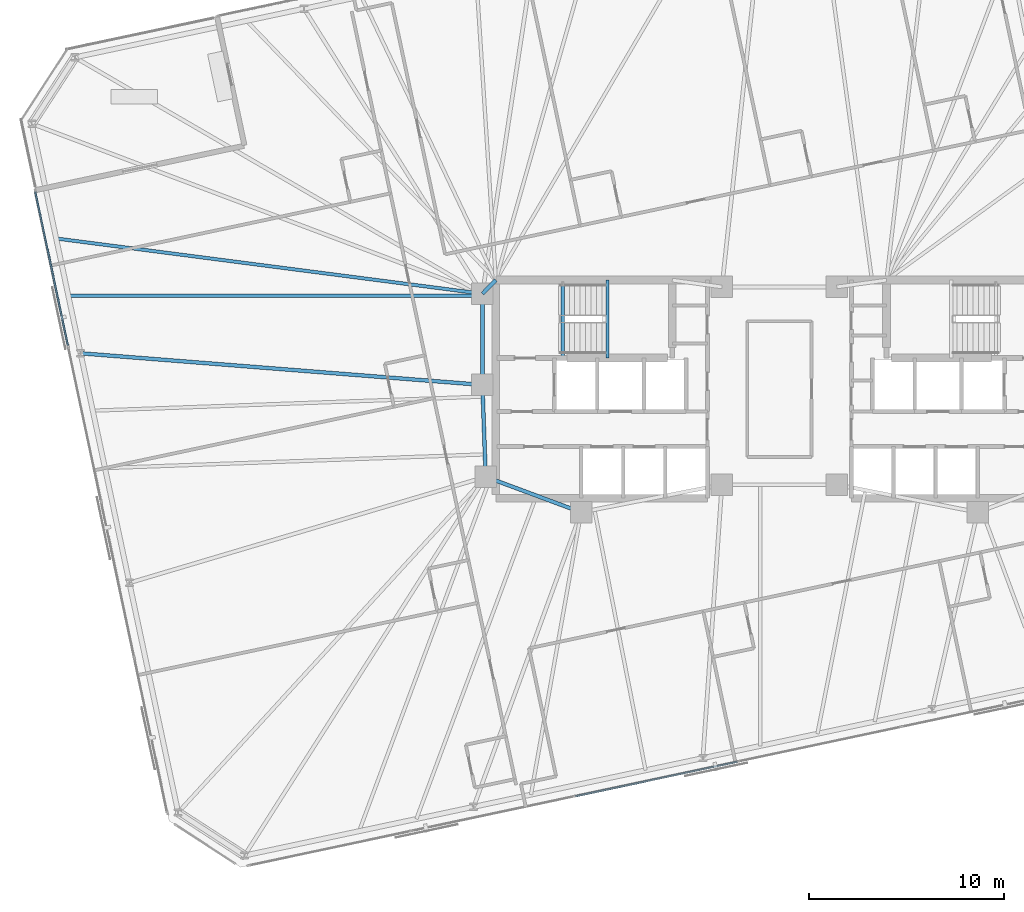
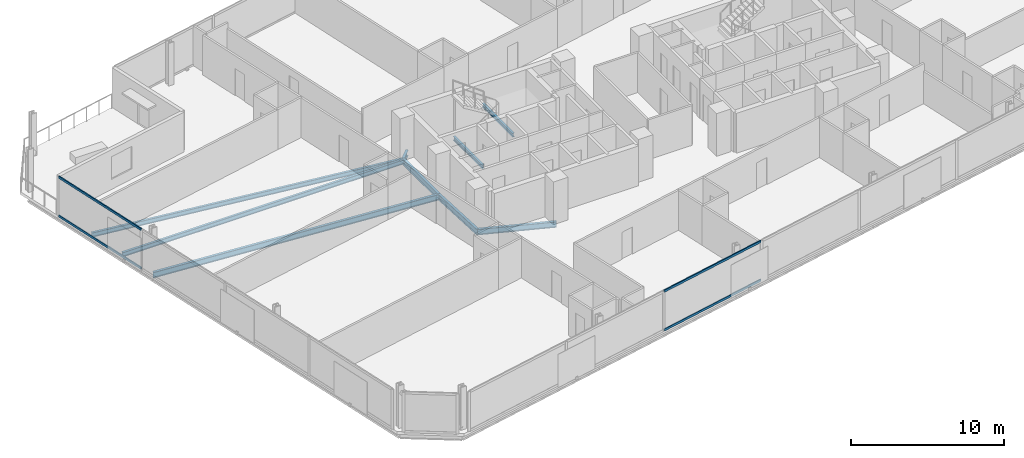
# One storey, part 7 of 20: 9 beams, 4 members, 2 elements without a shape of their own.
"""IFC4 building model written with IfcOpenShell, lengths in metres."""

from ifc_helpers import new_model, si_unit, direction, frame, origin, origin_2d, place, context, subcontext, project, spatial, rectangle, i_section, extrude, material, material_profile, profile_set, type_object, element, aggregate, save


model = new_model("IFC4")

# Units and contexts
model_context = context("Model", 3, precision=1e-05, world=origin(), true_north=direction((0.0, 1.0)))
body_context = subcontext(model_context, "Body", "Model", "MODEL_VIEW")
ifc_project = project(units=[si_unit("LENGTHUNIT", "METRE"), si_unit("AREAUNIT", "SQUARE_METRE"), si_unit("VOLUMEUNIT", "CUBIC_METRE"), si_unit("PLANEANGLEUNIT", "RADIAN"), si_unit("MASSUNIT", "GRAM", prefix="KILO")], contexts=[model_context])

# Site, building, storey
site_placement = place(None, origin())
site = spatial("IfcSite", under=ifc_project, at=site_placement, CompositionType="ELEMENT")
building_placement = place(site_placement, origin())
building = spatial("IfcBuilding", under=site, at=building_placement, Name="Menara Jurai Vektor", CompositionType="ELEMENT")
storey_placement = place(building_placement, frame((0.0, 0.0, 175.199951171875)))
storey = spatial("IfcBuildingStorey", under=building, at=storey_placement, Name="L45", CompositionType="ELEMENT", Elevation=175.199951171875)

# Curtain wall, members
ifc_material_1 = material(Name="Anodised Pale Aluminium & Low-E Double Glazing", Category="aluminium")
curtain_wall_type = type_object("IfcCurtainWallType", Name="CW-BLK3", PredefinedType="NOTDEFINED", material=ifc_material_1)
curtain_wall_1_placement = place(storey_placement, origin())
curtain_wall_1 = element("IfcCurtainWall", 1, at=curtain_wall_1_placement, inside=storey, type_object=curtain_wall_type, Name="Unitised Curtain Wall L45 F03", PredefinedType="NOTDEFINED")
ifc_material_2 = material(Name="Anodised Pale Aluminium Transom", Category="aluminium")
ifc_material_profile_1 = material_profile(ifc_material_2, rectangle(XDim=0.0849609375, YDim=0.175048828125, at=origin_2d()), Name="ALU TRN 85x175")
ifc_profile_set_1 = profile_set([ifc_material_profile_1], Name="Anodised Pale Aluminium Transom")
member_type = type_object("IfcMemberType", Name="CW-BLK3-TRN", PredefinedType="USERDEFINED", material=ifc_profile_set_1)
member_1_placement = place(storey_placement, frame((-38.20654296875, 10.130615234375, 0.04248046875), z_axis=(0.207920034791, -0.97814582713, 0.0), x_axis=(0.97814582713, 0.207920034791, 0.0)))
member_1 = element("IfcMember", 2, at=member_1_placement, type_object=member_type, Name="CW-03 transom 1.1", ObjectType="TRANSOM", PredefinedType="USERDEFINED", context=body_context, shape_type="SweptSolid", body=[
    extrude(rectangle(XDim=0.0849609375, YDim=0.175048828125, at=origin_2d()), origin(), (0.0, 0.0, 1.0), 8.052734375),
])
member_2_placement = place(storey_placement, frame((-38.20654296875, 10.130615234375, 3.132568359375), z_axis=(0.207920034791, -0.97814582713, 0.0), x_axis=(0.97814582713, 0.207920034791, 0.0)))
member_2 = element("IfcMember", 3, at=member_2_placement, type_object=member_type, Name="CW-03 transom 1.2", ObjectType="TRANSOM", PredefinedType="USERDEFINED", context=body_context, shape_type="SweptSolid", body=[
    extrude(rectangle(XDim=0.0849609375, YDim=0.175048828125, at=origin_2d()), origin(), (0.0, 0.0, 1.0), 8.052734375),
])
aggregate(curtain_wall_1, [member_1, member_2])

curtain_wall_2_placement = place(storey_placement, origin())
curtain_wall_2 = element("IfcCurtainWall", 4, at=curtain_wall_2_placement, inside=storey, type_object=curtain_wall_type, Name="Unitised Curtain Wall L45 F05", PredefinedType="NOTDEFINED")
member_3_placement = place(storey_placement, frame((-10.472900390625, -20.896240234375, 0.04248046875), z_axis=(0.978147743708, 0.207911018178, 0.0), x_axis=(-0.207911018178, 0.978147743708, 0.0)))
member_3 = element("IfcMember", 5, at=member_3_placement, type_object=member_type, Name="CW-03 transom 3.1", ObjectType="TRANSOM", PredefinedType="USERDEFINED", context=body_context, shape_type="SweptSolid", body=[
    extrude(rectangle(XDim=0.0849609375, YDim=0.175048828125, at=origin_2d()), origin(), (0.0, 0.0, 1.0), 8.4921875),
])
member_4_placement = place(storey_placement, frame((-10.472900390625, -20.896240234375, 3.132568359375), z_axis=(0.978147743708, 0.207911018178, 0.0), x_axis=(-0.207911018178, 0.978147743708, 0.0)))
member_4 = element("IfcMember", 6, at=member_4_placement, type_object=member_type, Name="CW-03 transom 3.2", ObjectType="TRANSOM", PredefinedType="USERDEFINED", context=body_context, shape_type="SweptSolid", body=[
    extrude(rectangle(XDim=0.0849609375, YDim=0.175048828125, at=origin_2d()), origin(), (0.0, 0.0, 1.0), 8.4921875),
])
aggregate(curtain_wall_2, [member_3, member_4])

# Beams
ifc_material_3 = material(Name="Steel S355", Category="steel")
ifc_material_profile_2 = material_profile(ifc_material_3, i_section(OverallWidth=0.19091796875, OverallDepth=0.4599609375, WebThickness=0.010009765625, FlangeThickness=0.01611328125, FilletRadius=0.010009765625, at=origin_2d()), Name="UKB 457x191x82")
ifc_profile_set_2 = profile_set([ifc_material_profile_2], Name="Steel S355")
beam_type_1 = type_object("IfcBeamType", Name="STR-BM-457", PredefinedType="BEAM", material=ifc_profile_set_2)
beam_1_placement = place(storey_placement, frame((-15.25, 4.89990234375, -0.454833984375), z_axis=(0.701871936926, 0.712303154672, 0.0), x_axis=(-0.712303154672, 0.701871936926, 0.0)))
element("IfcBeam", 7, at=beam_1_placement, inside=storey, type_object=beam_type_1, Name="Core Ring Header Girder L45-CHW-N1", PredefinedType="BEAM", context=body_context, shape_type="SweptSolid", body=[
    extrude(i_section(OverallWidth=0.19091796875, OverallDepth=0.4599609375, WebThickness=0.010009765625, FlangeThickness=0.01611328125, FilletRadius=0.010009765625, at=origin_2d()), origin(), (0.0, 0.0, 1.0), 0.98291015625),
])
beam_2_placement = place(storey_placement, frame((-15.25, 0.219970703125, -0.454833984375), z_axis=(0.0, 1.0, 0.0), x_axis=(-1.0, 0.0, 0.0)))
element("IfcBeam", 8, at=beam_2_placement, inside=storey, type_object=beam_type_1, Name="Core Ring Header Girder L45-CHW-W1", PredefinedType="BEAM", context=body_context, shape_type="SweptSolid", body=[
    extrude(i_section(OverallWidth=0.19091796875, OverallDepth=0.4599609375, WebThickness=0.010009765625, FlangeThickness=0.01611328125, FilletRadius=0.010009765625, at=origin_2d()), origin(), (0.0, 0.0, 1.0), 4.679931640625),
])
beam_3_placement = place(storey_placement, frame((-15.080078125, -4.5, -0.454833984375), z_axis=(-0.035977314146, 0.999352606874, 0.0), x_axis=(-0.999352606874, -0.035977314146, 0.0)))
element("IfcBeam", 9, at=beam_3_placement, inside=storey, type_object=beam_type_1, Name="Core Ring Header Girder L45-CHW-W2", PredefinedType="BEAM", context=body_context, shape_type="SweptSolid", body=[
    extrude(i_section(OverallWidth=0.19091796875, OverallDepth=0.4599609375, WebThickness=0.010009765625, FlangeThickness=0.01611328125, FilletRadius=0.010009765625, at=origin_2d()), origin(), (0.0, 0.0, 1.0), 4.72314453125),
])
beam_4_placement = place(storey_placement, frame((-15.080078125, -4.5, -0.454833984375), z_axis=(0.937424400887, -0.348188874925, 0.0), x_axis=(0.348188874925, 0.937424400887, 0.0)))
element("IfcBeam", 10, at=beam_4_placement, inside=storey, type_object=beam_type_1, Name="Core Ring Header Girder L45-CHW-S1", PredefinedType="BEAM", context=body_context, shape_type="SweptSolid", body=[
    extrude(i_section(OverallWidth=0.19091796875, OverallDepth=0.4599609375, WebThickness=0.010009765625, FlangeThickness=0.01611328125, FilletRadius=0.010009765625, at=origin_2d()), origin(), (0.0, 0.0, 1.0), 5.227294921875),
])
beam_5_placement = place(storey_placement, frame((-35.8828125, 1.843505859375, -0.454833984375), z_axis=(0.996918476483, -0.078444574364, 0.0), x_axis=(0.078444574364, 0.996918476483, 0.0)))
element("IfcBeam", 11, at=beam_5_placement, inside=storey, type_object=beam_type_1, Name="Radial Floor Girder L45-W2", PredefinedType="BEAM", context=body_context, shape_type="SweptSolid", body=[
    extrude(i_section(OverallWidth=0.19091796875, OverallDepth=0.4599609375, WebThickness=0.010009765625, FlangeThickness=0.01611328125, FilletRadius=0.010009765625, at=origin_2d()), origin(), (0.0, 0.0, 1.0), 20.696533203125),
])
ifc_material_profile_3 = material_profile(ifc_material_3, i_section(OverallWidth=0.172119140625, OverallDepth=0.35498046875, WebThickness=0.007080078125, FlangeThickness=0.011962890625, FilletRadius=0.010009765625, at=origin_2d()), Name="UKB 356x171x51")
ifc_profile_set_3 = profile_set([ifc_material_profile_3], Name="Steel S355")
beam_type_2 = type_object("IfcBeamType", Name="STR-JS-356", PredefinedType="JOIST", material=ifc_profile_set_3)
beam_6_placement = place(storey_placement, frame((-37.1357421875, 7.73779296875, -0.40234375), z_axis=(0.991697595851, -0.128591906365, 0.0), x_axis=(0.128591906365, 0.991697595851, 0.0)))
element("IfcBeam", 12, at=beam_6_placement, inside=storey, type_object=beam_type_2, Name="Radial Secondary Floor Joist L45-JS27", PredefinedType="JOIST", context=body_context, shape_type="SweptSolid", body=[
    extrude(i_section(OverallWidth=0.172119140625, OverallDepth=0.35498046875, WebThickness=0.007080078125, FlangeThickness=0.011962890625, FilletRadius=0.010009765625, at=origin_2d()), origin(), (0.0, 0.0, 1.0), 22.06884765625),
])
beam_7_placement = place(storey_placement, frame((-36.50927734375, 4.790771484375, -0.40234375), z_axis=(1.0, 0.0, 0.0), x_axis=(0.0, 1.0, 0.0)))
element("IfcBeam", 13, at=beam_7_placement, inside=storey, type_object=beam_type_2, Name="Radial Secondary Floor Joist L45-JS28", PredefinedType="JOIST", context=body_context, shape_type="SweptSolid", body=[
    extrude(i_section(OverallWidth=0.172119140625, OverallDepth=0.35498046875, WebThickness=0.007080078125, FlangeThickness=0.011962890625, FilletRadius=0.010009765625, at=origin_2d()), origin(), (0.0, 0.0, 1.0), 21.25927734375),
])
ifc_material_profile_4 = material_profile(ifc_material_3, i_section(OverallWidth=0.1650390625, OverallDepth=0.302978515625, WebThickness=0.006103515625, FlangeThickness=0.010009765625, FilletRadius=0.009033203125, at=origin_2d()), Name="UKB 305x165x40")
ifc_profile_set_4 = profile_set([ifc_material_profile_4], Name="Steel S355")
beam_type_3 = type_object("IfcBeamType", Name="STR-LN-305", PredefinedType="LINTEL", material=ifc_profile_set_4)
beam_8_placement = place(storey_placement, frame((-11.1201171875, 1.60009765625, -0.37646484375), z_axis=(0.0, 1.0, 0.0), x_axis=(-1.0, 0.0, 0.0)))
element("IfcBeam", 14, at=beam_8_placement, inside=storey, type_object=beam_type_3, Name="Stair Well Floor Trimmer ST1 L45", PredefinedType="LINTEL", context=body_context, shape_type="SweptSolid", body=[
    extrude(i_section(OverallWidth=0.1650390625, OverallDepth=0.302978515625, WebThickness=0.006103515625, FlangeThickness=0.010009765625, FilletRadius=0.009033203125, at=origin_2d()), origin(), (0.0, 0.0, 1.0), 3.81982421875),
])
beam_9_placement = place(storey_placement, frame((-8.830078125, 1.60009765625, 1.3486328125), z_axis=(0.0, 1.0, 0.0), x_axis=(-1.0, 0.0, 0.0)))
element("IfcBeam", 15, at=beam_9_placement, inside=storey, type_object=beam_type_3, Name="Stair Half-Landing Nosing Trimmer ST1-1 L45", PredefinedType="LINTEL", context=body_context, shape_type="SweptSolid", body=[
    extrude(i_section(OverallWidth=0.1650390625, OverallDepth=0.302978515625, WebThickness=0.006103515625, FlangeThickness=0.010009765625, FilletRadius=0.009033203125, at=origin_2d()), origin(), (0.0, 0.0, 1.0), 4.0),
])

save(model, "model.ifc")
